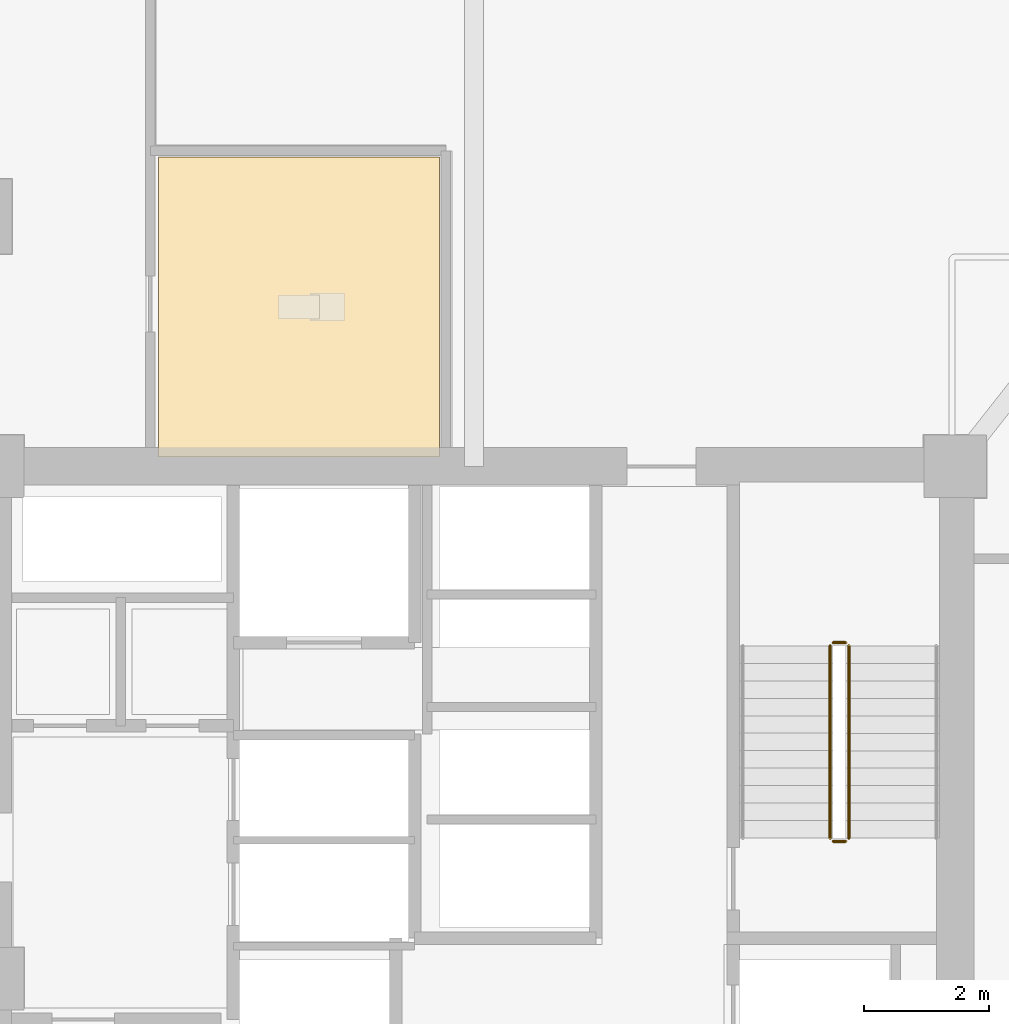
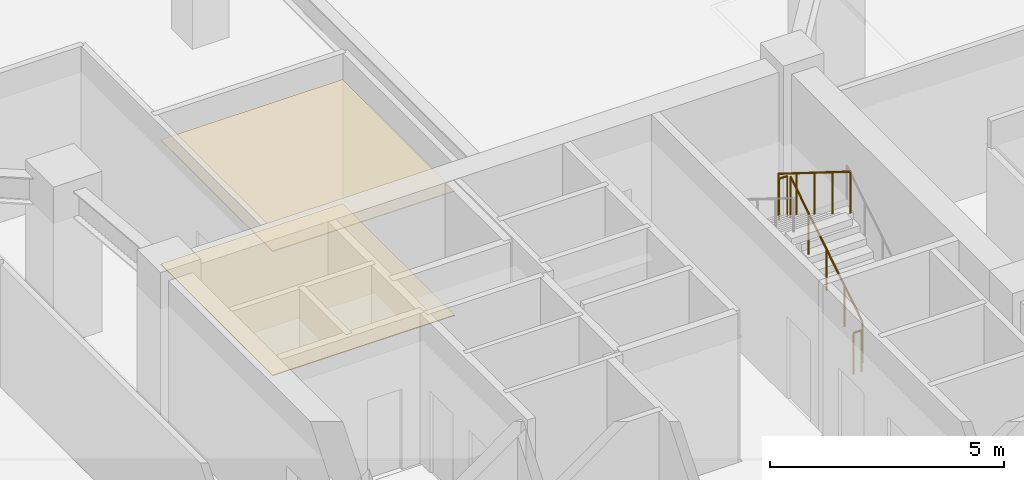
# One storey, part 18 of 21: 4 railings, 2 coverings.
"""IFC4 building model written with IfcOpenShell, lengths in metres."""

from ifc_helpers import new_model, si_unit, direction, frame, origin, origin_2d, place, context, subcontext, project, spatial, polyline, circle, outline, extrude, material, layer, layer_set, type_object, element, save


model = new_model("IFC4")

# Units and contexts
model_context = context("Model", 3, precision=1e-05, world=origin(), true_north=direction((0.0, 1.0)))
body_context = subcontext(model_context, "Body", "Model", "MODEL_VIEW")
ifc_project = project(units=[si_unit("LENGTHUNIT", "METRE"), si_unit("AREAUNIT", "SQUARE_METRE"), si_unit("VOLUMEUNIT", "CUBIC_METRE"), si_unit("PLANEANGLEUNIT", "RADIAN"), si_unit("MASSUNIT", "GRAM", prefix="KILO")], contexts=[model_context])

# Site, building, storey
site_placement = place(None, origin())
site = spatial("IfcSite", under=ifc_project, at=site_placement, CompositionType="ELEMENT")
building_placement = place(site_placement, origin())
building = spatial("IfcBuilding", under=site, at=building_placement, Name="Savorim Split Tower", CompositionType="ELEMENT")
storey_placement = place(building_placement, frame((0.0, 0.0, 9.199951171875)))
storey = spatial("IfcBuildingStorey", under=building, at=storey_placement, Name="L02", CompositionType="ELEMENT", Elevation=9.199951171875)

# Coverings
ifc_material_1 = material(Name="Mineral Fibre Acoustic Ceiling")
ifc_layer_1 = layer(ifc_material_1, 0.02490234375)
ifc_layer_set_1 = layer_set([ifc_layer_1], Name="COV-CEIL-25")
covering_type_1 = type_object("IfcCoveringType", Name="COV-CEIL-25", PredefinedType="CEILING", material=ifc_layer_set_1)
covering_1_placement = place(storey_placement, frame((0.0, 0.0, 3.239990234375)))
element("IfcCovering", 1, at=covering_1_placement, inside=storey, type_object=covering_type_1, Name="L02 Public WC Acoustic Ceiling", PredefinedType="CEILING", context=body_context, shape_type="SweptSolid", body=[
    extrude(outline(polyline([(-5.050048828125, 15.14990234375), (-5.050048828125, 10.35009765625), (-0.550048828125, 10.35009765625), (-0.550048828125, 15.14990234375), (-5.050048828125, 15.14990234375)])), origin(), (0.0, 0.0, 1.0), 0.025146484375),
])
ifc_material_2 = material(Name="Porcelain Stoneware Flooring", Category="masonry")
ifc_layer_2 = layer(ifc_material_2, 0.02001953125)
ifc_layer_set_2 = layer_set([ifc_layer_2], Name="COV-FLOR-20")
covering_type_2 = type_object("IfcCoveringType", Name="COV-FLOR-20", PredefinedType="FLOORING", material=ifc_layer_set_2)
covering_2_placement = place(storey_placement, origin())
element("IfcCovering", 2, at=covering_2_placement, inside=storey, type_object=covering_type_2, Name="L02 Public WC Porcelain Flooring", PredefinedType="FLOORING", context=body_context, shape_type="SweptSolid", body=[
    extrude(outline(polyline([(-5.050048828125, 15.14990234375), (-5.050048828125, 10.35009765625), (-0.550048828125, 10.35009765625), (-0.550048828125, 15.14990234375), (-5.050048828125, 15.14990234375)])), origin(), (0.0, 0.0, 1.0), 0.02001953125),
])

# Railings
ifc_material_3 = material(Name="Galvanised Painted Steel Balustrade", Category="steel")
railing_type = type_object("IfcRailingType", Name="RLG-STG-1100", PredefinedType="BALUSTRADE", material=ifc_material_3)
railing_1_placement = place(storey_placement, frame((6.0, 4.25, 0.175048828125)))
element("IfcRailing", 3, at=railing_1_placement, inside=storey, type_object=railing_type, Name="L02 ST-2 stair guard 1", PredefinedType="BALUSTRADE", context=body_context, shape_type="SweptSolid", body=[
    extrude(circle(Radius=0.02392578125, at=origin_2d()), frame((0.0, 0.0, 1.076171875), z_axis=(0.0, 0.847998304005, 0.529998940003), x_axis=(-1.0, 0.0, 0.0)), (0.0, 0.0, 1.0), 3.632080078125),
    extrude(circle(Radius=0.02099609375, at=origin_2d()), origin(), (0.0, 0.0, 1.0), 1.052001953125),
    extrude(circle(Radius=0.02099609375, at=origin_2d()), frame((0.0, 0.77001953125, 0.481201171875)), (0.0, 0.0, 1.0), 1.052001953125),
    extrude(circle(Radius=0.02099609375, at=origin_2d()), frame((0.0, 1.5400390625, 0.96240234375)), (0.0, 0.0, 1.0), 1.052001953125),
    extrude(circle(Radius=0.02099609375, at=origin_2d()), frame((0.0, 2.31005859375, 1.44384765625)), (0.0, 0.0, 1.0), 1.052001953125),
    extrude(circle(Radius=0.02099609375, at=origin_2d()), frame((0.0, 3.080078125, 1.925048828125)), (0.0, 0.0, 1.0), 1.052001953125),
])
railing_2_placement = place(storey_placement, frame((5.949951171875, 7.3798828125, 2.10009765625)))
element("IfcRailing", 4, at=railing_2_placement, inside=storey, type_object=railing_type, Name="L02 ST-2 stair guard 2", PredefinedType="BALUSTRADE", context=body_context, shape_type="SweptSolid", body=[
    extrude(circle(Radius=0.02392578125, at=origin_2d()), frame((0.0, 0.0, 1.076171875), z_axis=(-1.0, 0.0, 0.0), x_axis=(0.0, -1.0, 0.0)), (0.0, 0.0, 1.0), 0.199951171875),
    extrude(circle(Radius=0.02099609375, at=origin_2d()), origin(), (0.0, 0.0, 1.0), 1.052001953125),
    extrude(circle(Radius=0.02099609375, at=origin_2d()), frame((-0.199951171875, 0.0, 0.0)), (0.0, 0.0, 1.0), 1.052001953125),
])
railing_3_placement = place(storey_placement, frame((5.699951171875, 7.330078125, 2.275146484375)))
element("IfcRailing", 5, at=railing_3_placement, inside=storey, type_object=railing_type, Name="L02 ST-2 stair guard 3", PredefinedType="BALUSTRADE", context=body_context, shape_type="SweptSolid", body=[
    extrude(circle(Radius=0.02392578125, at=origin_2d()), frame((0.0, 0.0, 1.076171875), z_axis=(0.0, -0.848028513186, 0.529950602248), x_axis=(1.0, 0.0, 0.0)), (0.0, 0.0, 1.0), 3.632080078125),
    extrude(circle(Radius=0.02099609375, at=origin_2d()), origin(), (0.0, 0.0, 1.0), 1.052001953125),
    extrude(circle(Radius=0.02099609375, at=origin_2d()), frame((0.0, -0.77001953125, 0.481201171875)), (0.0, 0.0, 1.0), 1.052001953125),
    extrude(circle(Radius=0.02099609375, at=origin_2d()), frame((0.0, -1.5400390625, 0.96240234375)), (0.0, 0.0, 1.0), 1.052001953125),
    extrude(circle(Radius=0.02099609375, at=origin_2d()), frame((0.0, -2.31005859375, 1.443603515625)), (0.0, 0.0, 1.0), 1.052001953125),
    extrude(circle(Radius=0.02099609375, at=origin_2d()), frame((0.0, -3.080078125, 1.9248046875)), (0.0, 0.0, 1.0), 1.052001953125),
])
railing_4_placement = place(storey_placement, frame((5.949951171875, 4.199951171875, 0.0)))
element("IfcRailing", 6, at=railing_4_placement, inside=storey, type_object=railing_type, Name="L02 ST-2 stair guard 4", PredefinedType="BALUSTRADE", context=body_context, shape_type="SweptSolid", body=[
    extrude(circle(Radius=0.02392578125, at=origin_2d()), frame((0.0, 0.0, 1.076171875), z_axis=(-1.0, 0.0, 0.0), x_axis=(0.0, -1.0, 0.0)), (0.0, 0.0, 1.0), 0.199951171875),
    extrude(circle(Radius=0.02099609375, at=origin_2d()), origin(), (0.0, 0.0, 1.0), 1.052001953125),
    extrude(circle(Radius=0.02099609375, at=origin_2d()), frame((-0.199951171875, 0.0, 0.0)), (0.0, 0.0, 1.0), 1.052001953125),
])

save(model, "model.ifc")
